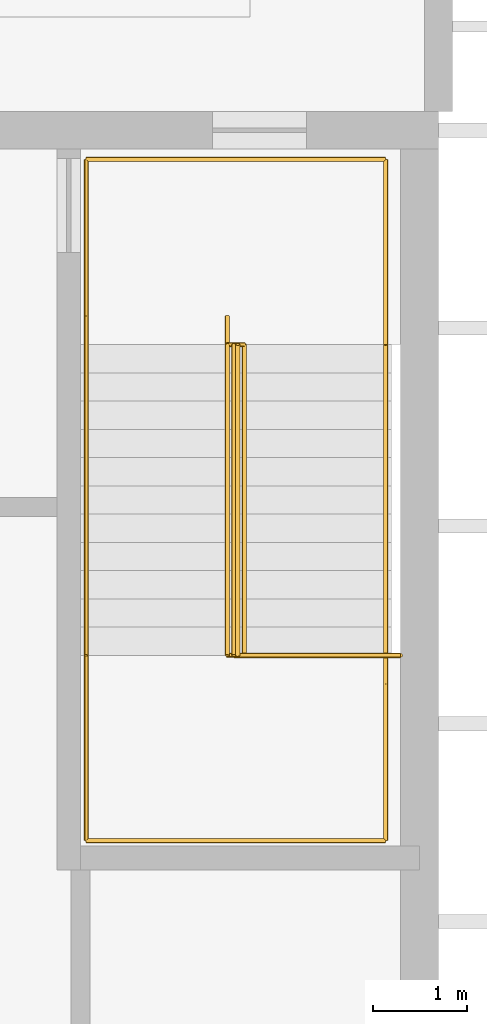
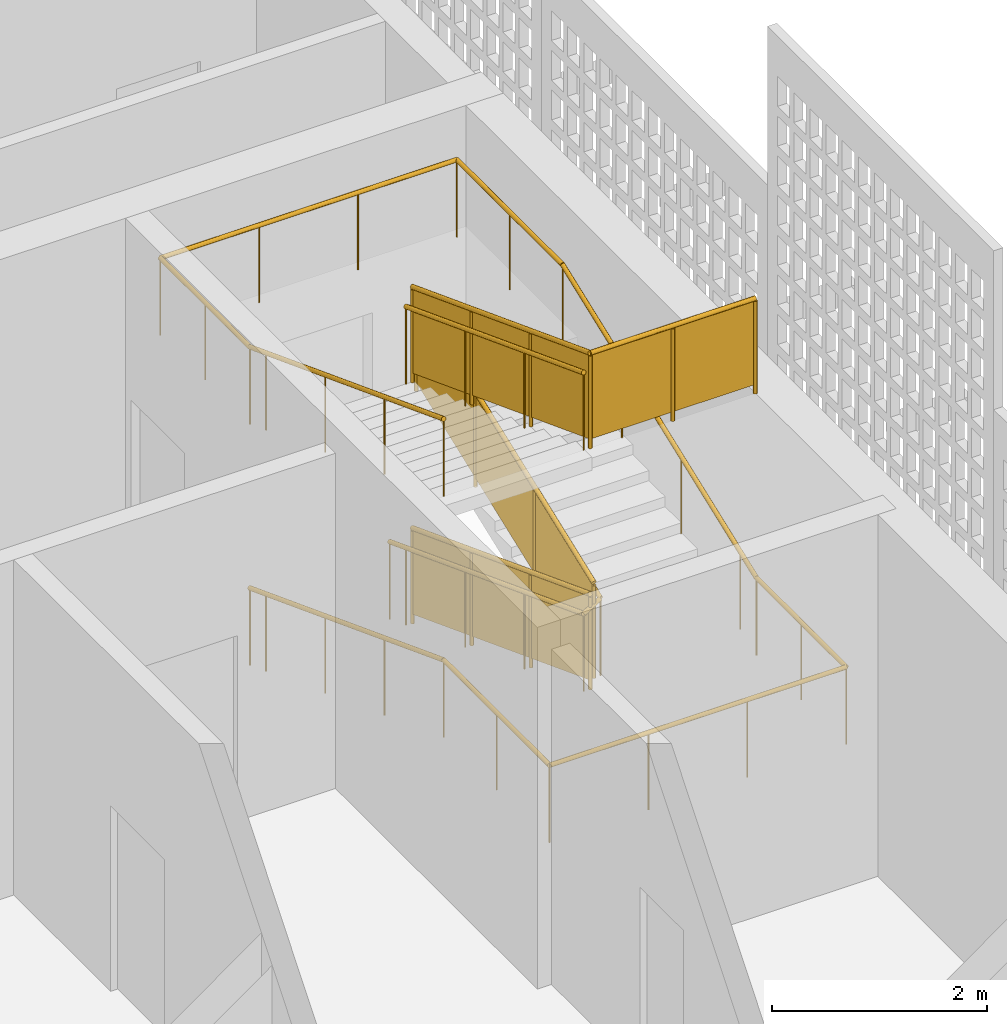
# One storey, part 16 of 23: 5 railings.
"""IFC4 building model written with IfcOpenShell, lengths in metres."""

from ifc_helpers import new_model, si_unit, direction, frame, origin, origin_2d, place, context, subcontext, project, spatial, polyline, circle, outline, extrude, material, type_object, element, save


model = new_model("IFC4")

# Units and contexts
model_context = context("Model", 3, precision=1e-05, world=origin(), true_north=direction((0.0, 1.0)))
body_context = subcontext(model_context, "Body", "Model", "MODEL_VIEW")
ifc_project = project(units=[si_unit("LENGTHUNIT", "METRE"), si_unit("AREAUNIT", "SQUARE_METRE"), si_unit("VOLUMEUNIT", "CUBIC_METRE"), si_unit("PLANEANGLEUNIT", "RADIAN"), si_unit("MASSUNIT", "GRAM", prefix="KILO")], contexts=[model_context])

# Site, building, storey
site_placement = place(None, origin())
site = spatial("IfcSite", under=ifc_project, at=site_placement, CompositionType="ELEMENT")
building_placement = place(site_placement, origin())
building = spatial("IfcBuilding", under=site, at=building_placement, Name="Rulbaag Community and Learning Centre", CompositionType="ELEMENT")
storey_placement = place(building_placement, frame((0.0, 0.0, 64.800048828125)))
storey = spatial("IfcBuildingStorey", under=building, at=storey_placement, Name="L17", CompositionType="ELEMENT", Elevation=64.800048828125)

# Railings
ifc_material_1 = material(Name="Galvanised mild steel", Category="steel")
railing_type_1 = type_object("IfcRailingType", Name="GR-1100 GUARD 1100", PredefinedType="GUARDRAIL", material=ifc_material_1)
railing_1_placement = place(storey_placement, frame((165.830078125, 106.925048828125, 0.11376953125)))
element("IfcRailing", 1, at=railing_1_placement, inside=storey, type_object=railing_type_1, Name="Guard ST2 L17 G", PredefinedType="GUARDRAIL", context=body_context, shape_type="SweptSolid", body=[
    extrude(circle(Radius=0.02490234375, at=origin_2d()), frame((0.0, 0.0, 1.0751953125), z_axis=(0.0, -0.934885969783, 0.354948198337), x_axis=(1.0, 0.0, 0.0)), (0.0, 0.0, 1.0), 3.52978515625),
    extrude(circle(Radius=0.02001953125, at=origin_2d()), origin(), (0.0, 0.0, 1.0), 1.050048828125),
    extrude(circle(Radius=0.02001953125, at=origin_2d()), frame((0.0, -1.10009765625, 0.417724609375)), (0.0, 0.0, 1.0), 1.050048828125),
    extrude(circle(Radius=0.02001953125, at=origin_2d()), frame((0.0, -2.199951171875, 0.835205078125)), (0.0, 0.0, 1.0), 1.050048828125),
    extrude(circle(Radius=0.02001953125, at=origin_2d()), frame((0.0, -3.300048828125, 1.2529296875)), (0.0, 0.0, 1.0), 1.050048828125),
    extrude(outline(polyline([(0.0, 0.0), (3.300048828125, 1.2529296875), (3.300048828125, 2.202880859375), (0.0, 0.949951171875), (0.0, 0.0)])), frame((0.0048828125, 0.0, 0.10009765625), z_axis=(-1.0, 0.0, 0.0), x_axis=(0.0, -1.0, 0.0)), (0.0, 0.0, 1.0), 0.010009765625),
])
railing_2_placement = place(storey_placement, frame((165.8701171875, 103.625, 1.48046875)))
element("IfcRailing", 2, at=railing_2_placement, inside=storey, type_object=railing_type_1, Name="Guard ST2 L17 G2", PredefinedType="GUARDRAIL", context=body_context, shape_type="SweptSolid", body=[
    extrude(circle(Radius=0.02490234375, at=origin_2d()), frame((0.0, 0.0, 1.0751953125), z_axis=(0.0, 0.93490891941, 0.354887746208), x_axis=(-1.0, 0.0, 0.0)), (0.0, 0.0, 1.0), 3.52978515625),
    extrude(circle(Radius=0.02001953125, at=origin_2d()), origin(), (0.0, 0.0, 1.0), 1.050048828125),
    extrude(circle(Radius=0.02001953125, at=origin_2d()), frame((0.0, 1.10009765625, 0.41748046875)), (0.0, 0.0, 1.0), 1.050048828125),
    extrude(circle(Radius=0.02001953125, at=origin_2d()), frame((0.0, 2.199951171875, 0.835205078125)), (0.0, 0.0, 1.0), 1.050048828125),
    extrude(circle(Radius=0.02001953125, at=origin_2d()), frame((0.0, 3.300048828125, 1.252685546875)), (0.0, 0.0, 1.0), 1.050048828125),
    extrude(outline(polyline([(0.0, 0.0), (3.300048828125, 1.252685546875), (3.300048828125, 2.20263671875), (0.0, 0.949951171875), (0.0, 0.0)])), frame((-0.0048828125, 0.0, 0.10009765625), z_axis=(1.0, 0.0, 0.0), x_axis=(0.0, 1.0, 0.0)), (0.0, 0.0, 1.0), 0.010009765625),
])
railing_3_placement = place(storey_placement, frame((165.830078125, 106.925048828125, 2.84716796875)))
element("IfcRailing", 3, at=railing_3_placement, inside=storey, type_object=railing_type_1, Name="Guard ST2 L17 G3", PredefinedType="GUARDRAIL", context=body_context, shape_type="SweptSolid", body=[
    extrude(circle(Radius=0.02490234375, at=origin_2d()), frame((0.0, 0.0, 1.0751953125), z_axis=(0.0, -0.93490891941, 0.354887746208), x_axis=(1.0, 0.0, 0.0)), (0.0, 0.0, 1.0), 3.52978515625),
    extrude(circle(Radius=0.02490234375, at=origin_2d()), frame((0.0, -3.300048828125, 2.32763671875), z_axis=(1.0, 0.0, 0.0), x_axis=(0.0, 1.0, 0.0)), (0.0, 0.0, 1.0), 1.77001953125),
    extrude(circle(Radius=0.02001953125, at=origin_2d()), origin(), (0.0, 0.0, 1.0), 1.050048828125),
    extrude(circle(Radius=0.02001953125, at=origin_2d()), frame((0.0, -1.10009765625, 0.41748046875)), (0.0, 0.0, 1.0), 1.050048828125),
    extrude(circle(Radius=0.02001953125, at=origin_2d()), frame((0.0, -2.199951171875, 0.835205078125)), (0.0, 0.0, 1.0), 1.050048828125),
    extrude(circle(Radius=0.02001953125, at=origin_2d()), frame((0.0, -3.300048828125, 1.252685546875)), (0.0, 0.0, 1.0), 1.050048828125),
    extrude(circle(Radius=0.02001953125, at=origin_2d()), frame((0.885009765625, -3.300048828125, 1.252685546875)), (0.0, 0.0, 1.0), 1.050048828125),
    extrude(circle(Radius=0.02001953125, at=origin_2d()), frame((1.77001953125, -3.300048828125, 1.252685546875)), (0.0, 0.0, 1.0), 1.050048828125),
    extrude(outline(polyline([(0.0, 0.0), (3.300048828125, 1.252685546875), (3.300048828125, 2.20263671875), (0.0, 0.949951171875), (0.0, 0.0)])), frame((0.0048828125, 0.0, 0.10009765625), z_axis=(-1.0, 0.0, 0.0), x_axis=(0.0, -1.0, 0.0)), (0.0, 0.0, 1.0), 0.010009765625),
    extrude(outline(polyline([(0.0, 0.0), (1.77001953125, 0.0), (1.77001953125, 0.949951171875), (0.0, 0.949951171875), (0.0, 0.0)])), frame((0.0, -3.294921875, 1.352783203125), z_axis=(0.0, -1.0, 0.0), x_axis=(1.0, 0.0, 0.0)), (0.0, 0.0, 1.0), 0.010009765625),
])
ifc_material_2 = material(Name="Stainless steel grade 316", Category="steel")
railing_type_2 = type_object("IfcRailingType", Name="HR-900 HANDRAIL 900", PredefinedType="HANDRAIL", material=ifc_material_2)
railing_4_placement = place(storey_placement, frame((164.260009765625, 107.22509765625, 0.0)))
element("IfcRailing", 4, at=railing_4_placement, inside=storey, type_object=railing_type_2, Name="Handrail ST2 L17 O", PredefinedType="HANDRAIL", context=body_context, shape_type="SweptSolid", body=[
    extrude(circle(Radius=0.024169921875, at=origin_2d()), frame((0.0, 0.0, 0.875732421875), z_axis=(0.0, -0.935041016996, 0.354539555671), x_axis=(1.0, 0.0, 0.0)), (0.0, 0.0, 1.0), 0.32080078125),
    extrude(circle(Radius=0.024169921875, at=origin_2d()), frame((0.0, -0.300048828125, 0.989501953125), z_axis=(0.0, -0.934885969783, 0.354948198337), x_axis=(1.0, 0.0, 0.0)), (0.0, 0.0, 1.0), 3.52978515625),
    extrude(circle(Radius=0.024169921875, at=origin_2d()), frame((0.0, -3.60009765625, 2.242431640625), z_axis=(0.0, -1.0, 0.0), x_axis=(1.0, 0.0, 0.0)), (0.0, 0.0, 1.0), 1.965087890625),
    extrude(circle(Radius=0.024169921875, at=origin_2d()), frame((0.0, -5.565185546875, 2.242431640625), z_axis=(1.0, 0.0, 0.0), x_axis=(0.0, 1.0, 0.0)), (0.0, 0.0, 1.0), 3.179931640625),
    extrude(circle(Radius=0.024169921875, at=origin_2d()), frame((3.179931640625, -5.565185546875, 2.242431640625), z_axis=(0.0, 1.0, 0.0), x_axis=(-1.0, 0.0, 0.0)), (0.0, 0.0, 1.0), 1.6650390625),
    extrude(circle(Radius=0.024169921875, at=origin_2d()), frame((3.179931640625, -3.900146484375, 2.242431640625), z_axis=(0.0, 0.935041016996, 0.354539555671), x_axis=(-1.0, 0.0, 0.0)), (0.0, 0.0, 1.0), 0.32080078125),
    extrude(circle(Radius=0.024169921875, at=origin_2d()), frame((3.179931640625, -3.60009765625, 2.356201171875), z_axis=(0.0, 0.93490891941, 0.354887746208), x_axis=(-1.0, 0.0, 0.0)), (0.0, 0.0, 1.0), 3.52978515625),
    extrude(circle(Radius=0.024169921875, at=origin_2d()), frame((3.179931640625, -0.300048828125, 3.60888671875), z_axis=(0.0, 1.0, 0.0), x_axis=(-1.0, 0.0, 0.0)), (0.0, 0.0, 1.0), 1.96484375),
    extrude(circle(Radius=0.024169921875, at=origin_2d()), frame((3.179931640625, 1.664794921875, 3.60888671875), z_axis=(-1.0, 0.0, 0.0), x_axis=(0.0, -1.0, 0.0)), (0.0, 0.0, 1.0), 3.179931640625),
    extrude(circle(Radius=0.024169921875, at=origin_2d()), frame((0.0, 1.664794921875, 3.60888671875), z_axis=(0.0, -1.0, 0.0), x_axis=(1.0, 0.0, 0.0)), (0.0, 0.0, 1.0), 1.664794921875),
    extrude(circle(Radius=0.024169921875, at=origin_2d()), frame((0.0, 0.0, 3.60888671875), z_axis=(0.0, -0.934788631725, 0.355204467873), x_axis=(1.0, 0.0, 0.0)), (0.0, 0.0, 1.0), 0.321044921875),
    extrude(circle(Radius=0.024169921875, at=origin_2d()), frame((0.0, -0.300048828125, 3.722900390625), z_axis=(0.0, -0.93490891941, 0.354887746208), x_axis=(1.0, 0.0, 0.0)), (0.0, 0.0, 1.0), 3.52978515625),
    extrude(circle(Radius=0.008056640625, at=origin_2d()), origin(), (0.0, 0.0, 1.0), 0.8515625),
    extrude(circle(Radius=0.008056640625, at=origin_2d()), frame((0.0, -0.300048828125, 0.11376953125)), (0.0, 0.0, 1.0), 0.8515625),
    extrude(circle(Radius=0.008056640625, at=origin_2d()), frame((0.0, -1.400146484375, 0.531494140625)), (0.0, 0.0, 1.0), 0.8515625),
    extrude(circle(Radius=0.008056640625, at=origin_2d()), frame((0.0, -2.5, 0.948974609375)), (0.0, 0.0, 1.0), 0.8515625),
    extrude(circle(Radius=0.008056640625, at=origin_2d()), frame((0.0, -3.60009765625, 1.36669921875)), (0.0, 0.0, 1.0), 0.8515625),
    extrude(circle(Radius=0.008056640625, at=origin_2d()), frame((0.0, -4.58251953125, 1.36669921875)), (0.0, 0.0, 1.0), 0.8515625),
    extrude(circle(Radius=0.008056640625, at=origin_2d()), frame((0.0, -5.565185546875, 1.36669921875)), (0.0, 0.0, 1.0), 0.8515625),
    extrude(circle(Radius=0.008056640625, at=origin_2d()), frame((1.06005859375, -5.565185546875, 1.36669921875)), (0.0, 0.0, 1.0), 0.8515625),
    extrude(circle(Radius=0.008056640625, at=origin_2d()), frame((2.119873046875, -5.565185546875, 1.36669921875)), (0.0, 0.0, 1.0), 0.8515625),
    extrude(circle(Radius=0.008056640625, at=origin_2d()), frame((3.179931640625, -5.565185546875, 1.36669921875)), (0.0, 0.0, 1.0), 0.8515625),
    extrude(circle(Radius=0.008056640625, at=origin_2d()), frame((3.179931640625, -4.732666015625, 1.36669921875)), (0.0, 0.0, 1.0), 0.8515625),
    extrude(circle(Radius=0.008056640625, at=origin_2d()), frame((3.179931640625, -3.900146484375, 1.36669921875)), (0.0, 0.0, 1.0), 0.8515625),
    extrude(circle(Radius=0.008056640625, at=origin_2d()), frame((3.179931640625, -3.60009765625, 1.48046875)), (0.0, 0.0, 1.0), 0.8515625),
    extrude(circle(Radius=0.008056640625, at=origin_2d()), frame((3.179931640625, -2.5, 1.89794921875)), (0.0, 0.0, 1.0), 0.8515625),
    extrude(circle(Radius=0.008056640625, at=origin_2d()), frame((3.179931640625, -1.400146484375, 2.315673828125)), (0.0, 0.0, 1.0), 0.8515625),
    extrude(circle(Radius=0.008056640625, at=origin_2d()), frame((3.179931640625, -0.300048828125, 2.733154296875)), (0.0, 0.0, 1.0), 0.8515625),
    extrude(circle(Radius=0.008056640625, at=origin_2d()), frame((3.179931640625, 0.682373046875, 2.733154296875)), (0.0, 0.0, 1.0), 0.8515625),
    extrude(circle(Radius=0.008056640625, at=origin_2d()), frame((3.179931640625, 1.664794921875, 2.733154296875)), (0.0, 0.0, 1.0), 0.8515625),
    extrude(circle(Radius=0.008056640625, at=origin_2d()), frame((2.119873046875, 1.664794921875, 2.733154296875)), (0.0, 0.0, 1.0), 0.8515625),
    extrude(circle(Radius=0.008056640625, at=origin_2d()), frame((1.06005859375, 1.664794921875, 2.733154296875)), (0.0, 0.0, 1.0), 0.8515625),
    extrude(circle(Radius=0.008056640625, at=origin_2d()), frame((0.0, 1.664794921875, 2.733154296875)), (0.0, 0.0, 1.0), 0.8515625),
    extrude(circle(Radius=0.008056640625, at=origin_2d()), frame((0.0, 0.83251953125, 2.733154296875)), (0.0, 0.0, 1.0), 0.8515625),
    extrude(circle(Radius=0.008056640625, at=origin_2d()), frame((0.0, 0.0, 2.733154296875)), (0.0, 0.0, 1.0), 0.8515625),
    extrude(circle(Radius=0.008056640625, at=origin_2d()), frame((0.0, -0.300048828125, 2.84716796875)), (0.0, 0.0, 1.0), 0.8515625),
    extrude(circle(Radius=0.008056640625, at=origin_2d()), frame((0.0, -1.400146484375, 3.2646484375)), (0.0, 0.0, 1.0), 0.8515625),
    extrude(circle(Radius=0.008056640625, at=origin_2d()), frame((0.0, -2.5, 3.682373046875)), (0.0, 0.0, 1.0), 0.8515625),
    extrude(circle(Radius=0.008056640625, at=origin_2d()), frame((0.0, -3.60009765625, 4.099853515625)), (0.0, 0.0, 1.0), 0.8515625),
])
railing_5_placement = place(storey_placement, frame((165.760009765625, 107.22509765625, 0.0)))
element("IfcRailing", 5, at=railing_5_placement, inside=storey, type_object=railing_type_2, Name="Handrail ST2 L17 I", PredefinedType="HANDRAIL", context=body_context, shape_type="SweptSolid", body=[
    extrude(circle(Radius=0.024169921875, at=origin_2d()), frame((0.0, 0.0, 0.875732421875), z_axis=(0.0, -0.935041016996, 0.354539555671), x_axis=(1.0, 0.0, 0.0)), (0.0, 0.0, 1.0), 0.32080078125),
    extrude(circle(Radius=0.024169921875, at=origin_2d()), frame((0.0, -0.300048828125, 0.989501953125), z_axis=(0.0, -0.934885969783, 0.354948198337), x_axis=(1.0, 0.0, 0.0)), (0.0, 0.0, 1.0), 3.52978515625),
    extrude(circle(Radius=0.024169921875, at=origin_2d()), frame((0.0, -3.60009765625, 2.242431640625), z_axis=(0.845216278044, 0.0, 0.534424403756), x_axis=(0.0, 1.0, 0.0)), (0.0, 0.0, 1.0), 0.212890625),
    extrude(circle(Radius=0.024169921875, at=origin_2d()), frame((0.179931640625, -3.60009765625, 2.356201171875), z_axis=(0.0, 0.93490891941, 0.354887746208), x_axis=(-1.0, 0.0, 0.0)), (0.0, 0.0, 1.0), 3.52978515625),
    extrude(circle(Radius=0.024169921875, at=origin_2d()), frame((0.179931640625, -0.300048828125, 3.60888671875), z_axis=(-0.844698169492, 0.0, 0.535242937792), x_axis=(0.0, -1.0, 0.0)), (0.0, 0.0, 1.0), 0.213134765625),
    extrude(circle(Radius=0.024169921875, at=origin_2d()), frame((0.0, -0.300048828125, 3.722900390625), z_axis=(0.0, -0.93490891941, 0.354887746208), x_axis=(1.0, 0.0, 0.0)), (0.0, 0.0, 1.0), 3.52978515625),
    extrude(circle(Radius=0.008056640625, at=origin_2d()), origin(), (0.0, 0.0, 1.0), 0.8515625),
    extrude(circle(Radius=0.008056640625, at=origin_2d()), frame((0.0, -0.300048828125, 0.11376953125)), (0.0, 0.0, 1.0), 0.8515625),
    extrude(circle(Radius=0.008056640625, at=origin_2d()), frame((0.0, -1.400146484375, 0.531494140625)), (0.0, 0.0, 1.0), 0.8515625),
    extrude(circle(Radius=0.008056640625, at=origin_2d()), frame((0.0, -2.5, 0.948974609375)), (0.0, 0.0, 1.0), 0.8515625),
    extrude(circle(Radius=0.008056640625, at=origin_2d()), frame((0.0, -3.60009765625, 1.36669921875)), (0.0, 0.0, 1.0), 0.8515625),
    extrude(circle(Radius=0.008056640625, at=origin_2d()), frame((0.179931640625, -3.60009765625, 1.48046875)), (0.0, 0.0, 1.0), 0.8515625),
    extrude(circle(Radius=0.008056640625, at=origin_2d()), frame((0.179931640625, -2.5, 1.89794921875)), (0.0, 0.0, 1.0), 0.8515625),
    extrude(circle(Radius=0.008056640625, at=origin_2d()), frame((0.179931640625, -1.400146484375, 2.315673828125)), (0.0, 0.0, 1.0), 0.8515625),
    extrude(circle(Radius=0.008056640625, at=origin_2d()), frame((0.179931640625, -0.300048828125, 2.733154296875)), (0.0, 0.0, 1.0), 0.8515625),
    extrude(circle(Radius=0.008056640625, at=origin_2d()), frame((0.0, -0.300048828125, 2.84716796875)), (0.0, 0.0, 1.0), 0.8515625),
    extrude(circle(Radius=0.008056640625, at=origin_2d()), frame((0.0, -1.400146484375, 3.2646484375)), (0.0, 0.0, 1.0), 0.8515625),
    extrude(circle(Radius=0.008056640625, at=origin_2d()), frame((0.0, -2.5, 3.682373046875)), (0.0, 0.0, 1.0), 0.8515625),
    extrude(circle(Radius=0.008056640625, at=origin_2d()), frame((0.0, -3.60009765625, 4.099853515625)), (0.0, 0.0, 1.0), 0.8515625),
])

save(model, "model.ifc")
